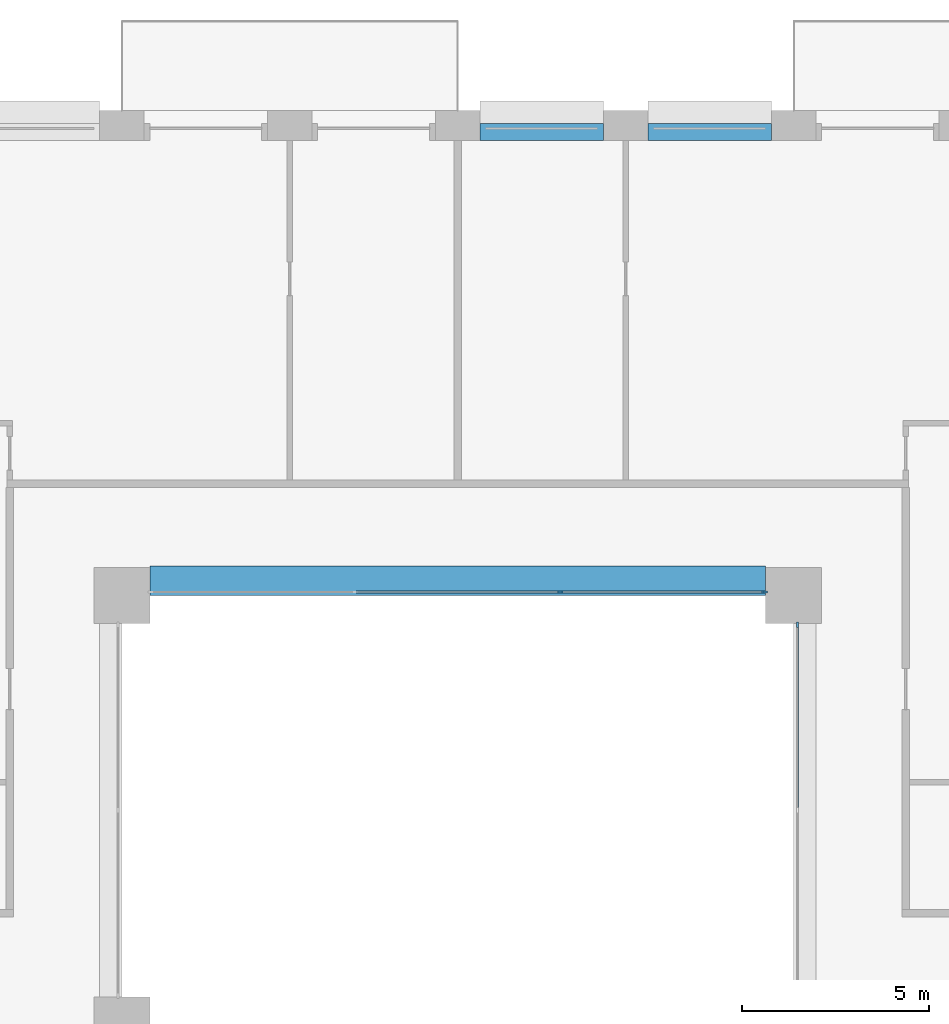
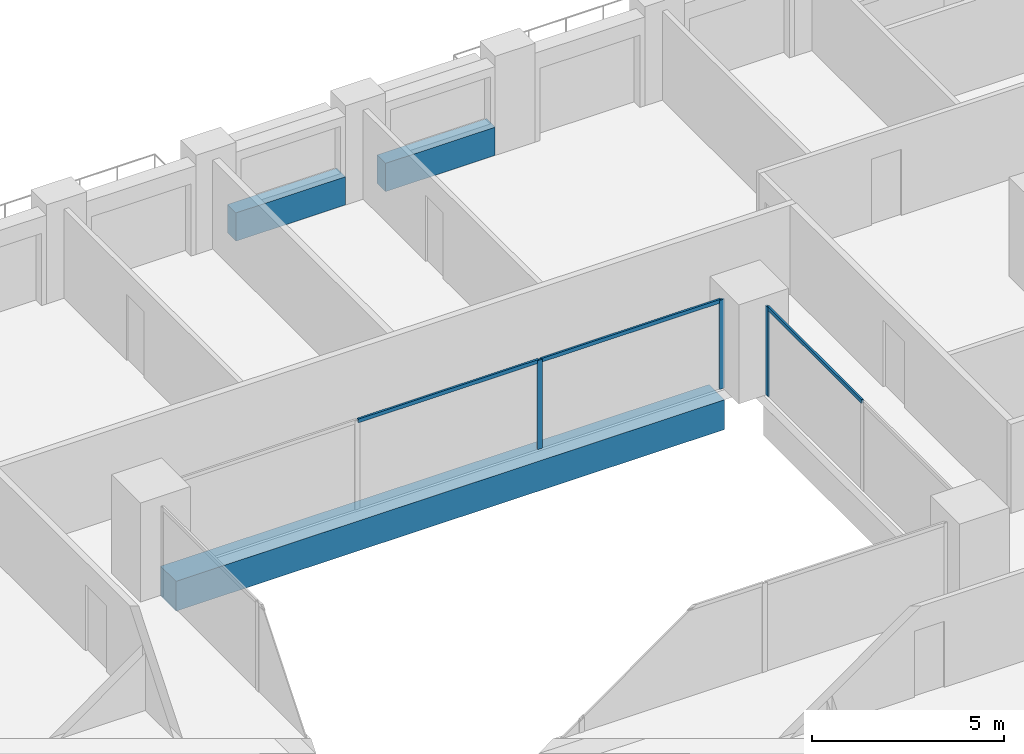
# One storey, part 7 of 19: 6 members, 3 beams, 2 elements without a shape of their own.
"""IFC4 building model written with IfcOpenShell, lengths in metres."""

from ifc_helpers import new_model, si_unit, direction, frame, origin, origin_2d, place, context, subcontext, project, spatial, rectangle, extrude, material, layer, layer_set, material_profile, profile_set, type_object, element, aggregate, save


model = new_model("IFC4")

# Units and contexts
model_context = context("Model", 3, precision=1e-05, world=origin(), true_north=direction((0.0, 1.0)))
body_context = subcontext(model_context, "Body", "Model", "MODEL_VIEW")
ifc_project = project(units=[si_unit("LENGTHUNIT", "METRE"), si_unit("AREAUNIT", "SQUARE_METRE"), si_unit("VOLUMEUNIT", "CUBIC_METRE"), si_unit("PLANEANGLEUNIT", "RADIAN"), si_unit("MASSUNIT", "GRAM", prefix="KILO")], contexts=[model_context])

# Site, building, storey
site_placement = place(None, origin())
site = spatial("IfcSite", under=ifc_project, at=site_placement, CompositionType="ELEMENT")
building_placement = place(site_placement, origin())
building = spatial("IfcBuilding", under=site, at=building_placement, Name="Brigalow Station Residences", CompositionType="ELEMENT")
storey_placement = place(building_placement, frame((0.0, 0.0, 25.800048828125)))
storey = spatial("IfcBuildingStorey", under=building, at=storey_placement, Name="L06", CompositionType="ELEMENT", Elevation=25.800048828125)

# Beam
ifc_material_1 = material(Name="Concrete C65", Category="concrete")
ifc_material_profile_1 = material_profile(ifc_material_1, rectangle(XDim=0.800048828125, YDim=0.949951171875, at=origin_2d()), Name="RC800x950")
ifc_profile_set_1 = profile_set([ifc_material_profile_1], Name="Concrete C65")
beam_type_1 = type_object("IfcBeamType", Name="ATRIUM EDGE GIRDER OVER 13.5 M SPAN 800x950 C65", PredefinedType="BEAM", material=ifc_profile_set_1)
beam_placement = place(storey_placement, frame((27.75, 35.89990234375, -0.795166015625), z_axis=(1.0, 0.0, 0.0), x_axis=(0.0, 1.0, 0.0)))
element("IfcBeam", 1, at=beam_placement, inside=storey, type_object=beam_type_1, Name="ATRIUM EDGE GIRDER D L06", PredefinedType="BEAM", context=body_context, shape_type="SweptSolid", body=[
    extrude(rectangle(XDim=0.800048828125, YDim=0.949951171875, at=origin_2d()), origin(), (0.0, 0.0, 1.0), 16.5),
])

# Curtain wall, member
ifc_material_2 = material(Name="Aluminium", Category="aluminium")
ifc_layer = layer(ifc_material_2, 0.14990234375)
ifc_layer_set = layer_set([ifc_layer], Name="ATRIUM FIRE-RATED GLAZING CURTAIN WALL")
curtain_wall_type = type_object("IfcCurtainWallType", Name="ATRIUM FIRE-RATED GLAZING CURTAIN WALL", PredefinedType="NOTDEFINED", material=ifc_layer_set)
curtain_wall_1_placement = place(storey_placement, origin())
curtain_wall_1 = element("IfcCurtainWall", 2, at=curtain_wall_1_placement, inside=storey, type_object=curtain_wall_type, Name="L06/cw/atrium-E", PredefinedType="NOTDEFINED")
ifc_material_3 = material(Name="Aluminium", Category="aluminium")
ifc_material_profile_2 = material_profile(ifc_material_3, rectangle(XDim=0.06005859375, YDim=0.14990234375, at=origin_2d()), Name="ATRIUM FIRE-RATED GLAZING MULLION 60x150")
ifc_profile_set_2 = profile_set([ifc_material_profile_2], Name="Aluminium")
member_type_1 = type_object("IfcMemberType", Name="ATRIUM FIRE-RATED GLAZING MULLION 60x150", PredefinedType="MULLION", material=ifc_profile_set_2)
member_1_placement = place(storey_placement, frame((45.10009765625, 34.719970703125, 0.0), z_axis=(0.0, 0.0, 1.0), x_axis=(-1.0, 0.0, 0.0)))
member_1 = element("IfcMember", 3, at=member_1_placement, type_object=member_type_1, Name="L06/cw/atrium-E/M02", PredefinedType="MULLION", context=body_context, shape_type="SweptSolid", body=[
    extrude(rectangle(XDim=0.06005859375, YDim=0.14990234375, at=origin_2d()), origin(), (0.0, 0.0, 1.0), 2.829833984375),
])

# Curtain wall, members
curtain_wall_2_placement = place(storey_placement, origin())
curtain_wall_2 = element("IfcCurtainWall", 4, at=curtain_wall_2_placement, inside=storey, type_object=curtain_wall_type, Name="L06/cw/atrium-N", PredefinedType="NOTDEFINED")
member_2_placement = place(storey_placement, frame((44.219970703125, 35.60009765625, 0.0), z_axis=(0.0, 0.0, 1.0), x_axis=(0.0, -1.0, 0.0)))
member_2 = element("IfcMember", 5, at=member_2_placement, type_object=member_type_1, Name="L06/cw/atrium-N/M00", PredefinedType="MULLION", context=body_context, shape_type="SweptSolid", body=[
    extrude(rectangle(XDim=0.06005859375, YDim=0.14990234375, at=origin_2d()), origin(), (0.0, 0.0, 1.0), 2.829833984375),
])
member_3_placement = place(storey_placement, frame((38.75, 35.60009765625, 0.0), z_axis=(0.0, 0.0, 1.0), x_axis=(0.0, -1.0, 0.0)))
member_3 = element("IfcMember", 6, at=member_3_placement, type_object=member_type_1, Name="L06/cw/atrium-N/M01", PredefinedType="MULLION", context=body_context, shape_type="SweptSolid", body=[
    extrude(rectangle(XDim=0.06005859375, YDim=0.14990234375, at=origin_2d()), origin(), (0.0, 0.0, 1.0), 2.829833984375),
])

# Member
ifc_material_4 = material(Name="Aluminium", Category="aluminium")
ifc_material_profile_3 = material_profile(ifc_material_4, rectangle(XDim=0.06005859375, YDim=0.1201171875, at=origin_2d()), Name="ATRIUM FIRE-RATED GLAZING TRANSOM 60x120")
ifc_profile_set_3 = profile_set([ifc_material_profile_3], Name="Aluminium")
member_type_2 = type_object("IfcMemberType", Name="ATRIUM FIRE-RATED GLAZING TRANSOM 60x120", PredefinedType="USERDEFINED", material=ifc_profile_set_3)
member_4_placement = place(storey_placement, frame((45.10009765625, 29.780029296875, 2.800048828125), z_axis=(0.0, 1.0, 0.0), x_axis=(-1.0, 0.0, 0.0)))
member_4 = element("IfcMember", 7, at=member_4_placement, type_object=member_type_2, Name="L06/cw/atrium-E/T01-00", ObjectType="TRANSOM", PredefinedType="USERDEFINED", context=body_context, shape_type="SweptSolid", body=[
    extrude(rectangle(XDim=0.06005859375, YDim=0.1201171875, at=origin_2d()), origin(), (0.0, 0.0, 1.0), 4.909912109375),
])

aggregate(curtain_wall_1, [member_1, member_4])

member_5_placement = place(storey_placement, frame((44.18994140625, 35.60009765625, 2.800048828125), z_axis=(-1.0, 0.0, 0.0), x_axis=(0.0, -1.0, 0.0)))
member_5 = element("IfcMember", 8, at=member_5_placement, type_object=member_type_2, Name="L06/cw/atrium-N/T00-00", ObjectType="TRANSOM", PredefinedType="USERDEFINED", context=body_context, shape_type="SweptSolid", body=[
    extrude(rectangle(XDim=0.06005859375, YDim=0.1201171875, at=origin_2d()), origin(), (0.0, 0.0, 1.0), 5.409912109375),
])

member_6_placement = place(storey_placement, frame((38.719970703125, 35.60009765625, 2.800048828125), z_axis=(-1.0, 0.0, 0.0), x_axis=(0.0, -1.0, 0.0)))
member_6 = element("IfcMember", 9, at=member_6_placement, type_object=member_type_2, Name="L06/cw/atrium-N/T01-00", ObjectType="TRANSOM", PredefinedType="USERDEFINED", context=body_context, shape_type="SweptSolid", body=[
    extrude(rectangle(XDim=0.06005859375, YDim=0.1201171875, at=origin_2d()), origin(), (0.0, 0.0, 1.0), 5.43994140625),
])

aggregate(curtain_wall_2, [member_2, member_3, member_5, member_6])

# Beams
ifc_material_5 = material(Name="Concrete C65", Category="concrete")
ifc_material_profile_4 = material_profile(ifc_material_5, rectangle(XDim=0.449951171875, YDim=0.89990234375, at=origin_2d()), Name="RC450x900")
ifc_profile_set_4 = profile_set([ifc_material_profile_4], Name="Concrete C65")
beam_type_2 = type_object("IfcBeamType", Name="SPANDREL BEAM 450x900 C65", PredefinedType="SPANDREL", material=ifc_profile_set_4)
for number, where, z_axis, x_axis, name in (
    (10, (44.39990234375, 47.925048828125, 0.449951171875), (-1.0, 0.0, 0.0), (0.0, -1.0, 0.0), "L06/spandrel/W-L06-31"),
    (11, (39.89990234375, 47.925048828125, 0.449951171875), (-1.0, 0.0, 0.0), (0.0, -1.0, 0.0), "L06/spandrel/W-L06-32"),
):
    element("IfcBeam", number, at=place(storey_placement, frame(where, z_axis=z_axis, x_axis=x_axis)), inside=storey, type_object=beam_type_2, Name=name, PredefinedType="SPANDREL", context=body_context, shape_type="SweptSolid", body=[
        extrude(rectangle(XDim=0.449951171875, YDim=0.89990234375, at=origin_2d()), origin(), (0.0, 0.0, 1.0), 3.2998046875),
    ])

save(model, "model.ifc")
